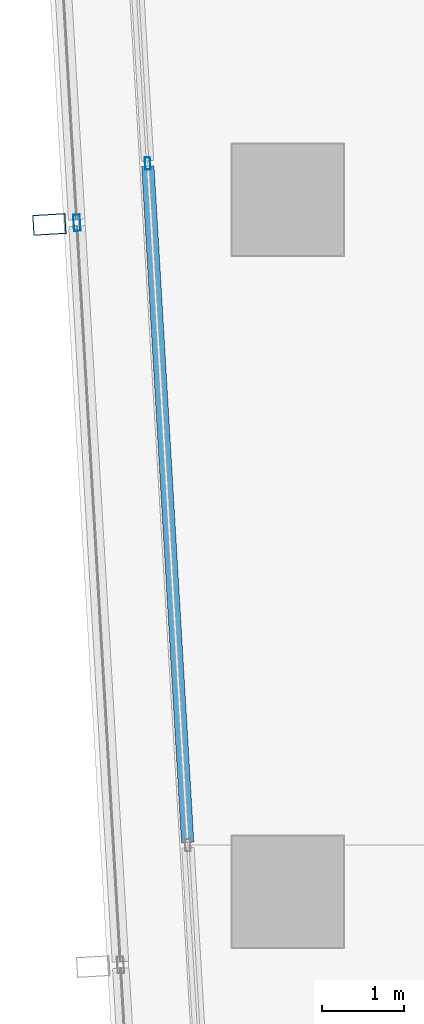
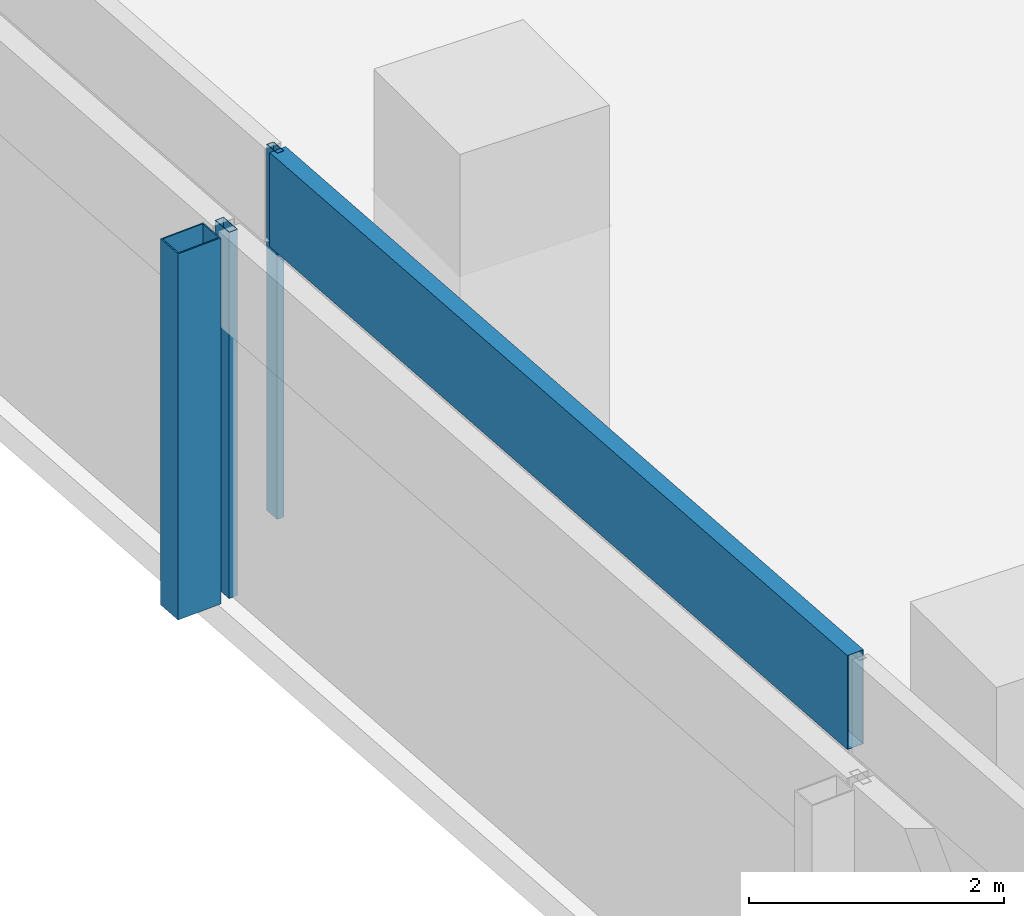
# One storey, part 8 of 40: 4 members, 2 elements without a shape of their own.
"""IFC4 building model written with IfcOpenShell, lengths in metres."""

from ifc_helpers import new_model, si_unit, direction, frame, origin, origin_2d, place, context, subcontext, project, spatial, hollow_rectangle, extrude, material, material_profile, profile_set, type_object, element, aggregate, save


model = new_model("IFC4")

# Units and contexts
model_context = context("Model", 3, precision=1e-05, world=origin(), true_north=direction((0.0, 1.0)))
body_context = subcontext(model_context, "Body", "Model", "MODEL_VIEW")
ifc_project = project(units=[si_unit("LENGTHUNIT", "METRE"), si_unit("AREAUNIT", "SQUARE_METRE"), si_unit("VOLUMEUNIT", "CUBIC_METRE"), si_unit("PLANEANGLEUNIT", "RADIAN"), si_unit("MASSUNIT", "GRAM", prefix="KILO")], contexts=[model_context])

# Site, building, storey
site_placement = place(None, origin())
site = spatial("IfcSite", under=ifc_project, at=site_placement, CompositionType="ELEMENT")
building_placement = place(site_placement, origin())
building = spatial("IfcBuilding", under=site, at=building_placement, Name="Rekha Terrace Tower", CompositionType="ELEMENT")
storey_placement = place(building_placement, frame((0.0, 0.0, 213.949951171875)))
storey = spatial("IfcBuildingStorey", under=building, at=storey_placement, Name="L54", CompositionType="ELEMENT", Elevation=213.949951171875)

# Curtain wall, member
ifc_material_1 = material(Name="Aluminium framing", Category="aluminium")
curtain_wall_type_1 = type_object("IfcCurtainWallType", Name="CW2 double skin outer glazing", PredefinedType="USERDEFINED", material=ifc_material_1)
curtain_wall_1_placement = place(storey_placement, origin())
curtain_wall_1 = element("IfcCurtainWall", 1, at=curtain_wall_1_placement, inside=storey, type_object=curtain_wall_type_1, Name="CW2 double skin outer glazing", ObjectType="DOUBLE SKIN OUTER GLAZING", PredefinedType="USERDEFINED")
ifc_material_2 = material(Name="Steel S355 with fluorocarbon finish", Category="steel")
ifc_material_profile_1 = material_profile(ifc_material_2, hollow_rectangle(XDim=0.25, YDim=0.39990234375, WallThickness=0.012451171875, at=origin_2d()), Name="RHS400x250x12.5")
ifc_profile_set_1 = profile_set([ifc_material_profile_1], Name="Steel S355 with fluorocarbon finish")
member_type_1 = type_object("IfcMemberType", Name="BL1 facade blade RHS 400 x 250", PredefinedType="USERDEFINED", material=ifc_profile_set_1)
member_1_placement = place(storey_placement, frame((5.50634765625, 33.300048828125, 0.0), z_axis=(0.0, 0.0, 1.0), x_axis=(0.058764522885, -0.998271872212, 0.0)))
member_1 = element("IfcMember", 2, at=member_1_placement, type_object=member_type_1, Name="Facade blade", ObjectType="FACADE BLADE", PredefinedType="USERDEFINED", context=body_context, shape_type="SweptSolid", body=[
    extrude(hollow_rectangle(XDim=0.25, YDim=0.39990234375, WallThickness=0.012451171875, at=origin_2d()), origin(), (0.0, 0.0, 1.0), 3.5),
])

# Curtain wall, members
curtain_wall_type_2 = type_object("IfcCurtainWallType", Name="CW1 double skin inner glazing", PredefinedType="USERDEFINED", material=ifc_material_1)
curtain_wall_2_placement = place(storey_placement, origin())
curtain_wall_2 = element("IfcCurtainWall", 3, at=curtain_wall_2_placement, inside=storey, type_object=curtain_wall_type_2, Name="CW1 double skin inner glazing", ObjectType="DOUBLE SKIN INNER GLAZING", PredefinedType="USERDEFINED")
ifc_material_3 = material(Name="Aluminium mullion section", Category="aluminium")
ifc_material_profile_2 = material_profile(ifc_material_3, hollow_rectangle(XDim=0.06494140625, YDim=0.14990234375, WallThickness=0.00390625, at=origin_2d()), Name="AL RHS 65x150")
ifc_profile_set_2 = profile_set([ifc_material_profile_2], Name="Aluminium mullion section")
member_type_2 = type_object("IfcMemberType", Name="CW1 mullion RHS 65 x 150", PredefinedType="MULLION", material=ifc_profile_set_2)
member_2_placement = place(storey_placement, frame((6.69970703125, 34.040283203125, 0.0), z_axis=(0.0, 0.0, 1.0), x_axis=(0.998271839269, 0.058765082516, 0.0)))
member_2 = element("IfcMember", 4, at=member_2_placement, type_object=member_type_2, Name="CW1 mullion 2", PredefinedType="MULLION", context=body_context, shape_type="SweptSolid", body=[
    extrude(hollow_rectangle(XDim=0.06494140625, YDim=0.14990234375, WallThickness=0.00390625, at=origin_2d()), origin(), (0.0, 0.0, 1.0), 3.5),
])
ifc_material_4 = material(Name="Insulated aluminium spandrel box", Category="aluminium")
ifc_material_profile_3 = material_profile(ifc_material_4, hollow_rectangle(XDim=0.14990234375, YDim=0.89990234375, WallThickness=0.0029296875, at=origin_2d()), Name="AL SPANDREL BOX 150x900")
ifc_profile_set_3 = profile_set([ifc_material_profile_3], Name="Insulated aluminium spandrel box")
member_type_3 = type_object("IfcMemberType", Name="CW1 spandrel transom 150 x 900", PredefinedType="USERDEFINED", material=ifc_profile_set_3)
member_3_placement = place(storey_placement, frame((6.70166015625, 34.0078125, 3.050048828125), z_axis=(0.058782934148, -0.99827078824, 0.0), x_axis=(0.99827078824, 0.058782934148, 0.0)))
member_3 = element("IfcMember", 5, at=member_3_placement, type_object=member_type_3, Name="CW1 spandrel transom 2", ObjectType="TRANSOM", PredefinedType="USERDEFINED", context=body_context, shape_type="SweptSolid", body=[
    extrude(hollow_rectangle(XDim=0.14990234375, YDim=0.89990234375, WallThickness=0.0029296875, at=origin_2d()), origin(), (0.0, 0.0, 1.0), 8.223388671875),
])
aggregate(curtain_wall_2, [member_2, member_3])

# Member
ifc_material_profile_4 = material_profile(ifc_material_3, hollow_rectangle(XDim=0.080078125, YDim=0.199951171875, WallThickness=0.00390625, at=origin_2d()), Name="AL RHS 80x200")
ifc_profile_set_4 = profile_set([ifc_material_profile_4], Name="Aluminium mullion section")
member_type_4 = type_object("IfcMemberType", Name="CW2 mullion RHS 80 x 200", PredefinedType="MULLION", material=ifc_profile_set_4)
member_4_placement = place(storey_placement, frame((5.840576171875, 33.31982421875, 0.0), z_axis=(0.0, 0.0, 1.0), x_axis=(0.99827183927, 0.058765082499, 0.0)))
member_4 = element("IfcMember", 6, at=member_4_placement, type_object=member_type_4, Name="CW2 mullion 2", PredefinedType="MULLION", context=body_context, shape_type="SweptSolid", body=[
    extrude(hollow_rectangle(XDim=0.080078125, YDim=0.199951171875, WallThickness=0.00390625, at=origin_2d()), origin(), (0.0, 0.0, 1.0), 3.5),
])

aggregate(curtain_wall_1, [member_4, member_1])

save(model, "model.ifc")
